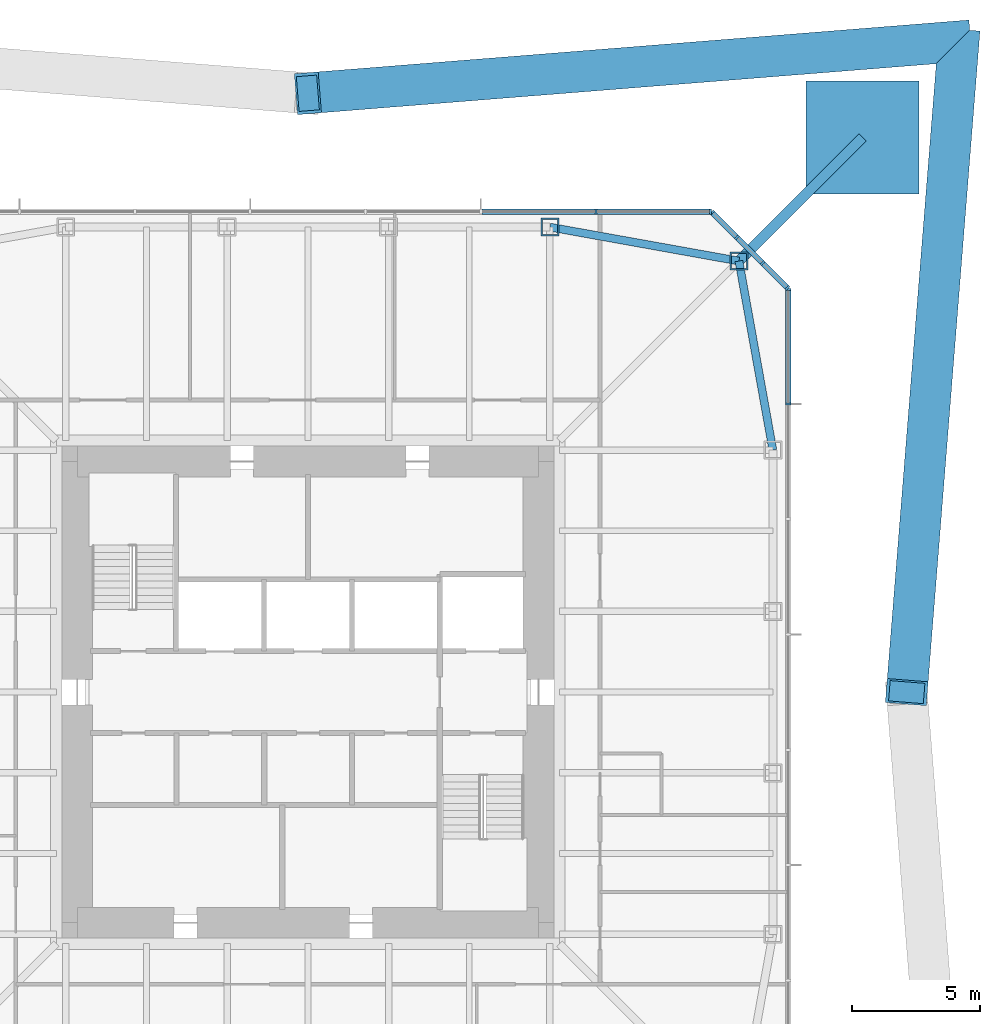
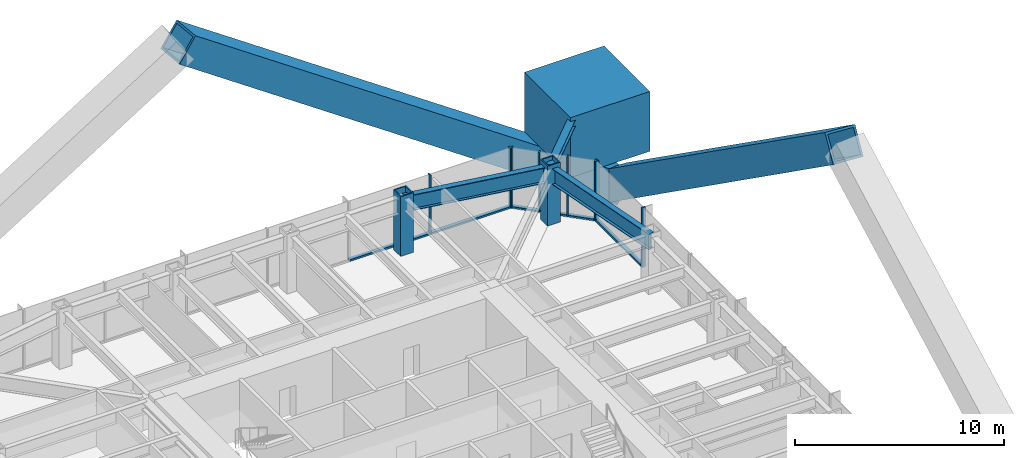
# One storey, part 6 of 11: 20 members, 2 beams, 3 elements without a shape of their own.
"""IFC4 building model written with IfcOpenShell, lengths in metres."""

import ifcopenshell
import ifcopenshell.guid

model = None  # the IFC model being written
_history = None  # IfcOwnerHistory: only IFC2X3 demands one
_inside = {}  # id of a spatial element -> (the spatial element, [elements in it])
_under = {}  # id of a project, library or spatial element -> (it, [spatial elements below it])
_declared = {}  # id of a project -> (the project, [libraries it declares])
_typed = {}  # id of a type object -> (the type object, [elements of that type])
_made_of = {}  # id of a material, layer set ... -> (it, [elements and type objects made of it])


def new_model(schema):
    """Start an empty IFC model of exactly this schema.

    Asked for "IFC4X3", IfcOpenShell would pick the latest addendum, in which some entities
    have other attributes; the version numbers below select the first issue.
    IFC2X3 requires an IfcOwnerHistory on every rooted entity: one is made here for all.
    """
    global model, _history
    if schema == "IFC4X3":
        model = ifcopenshell.file(schema_version=(4, 3, 0, 0))
    else:
        model = ifcopenshell.file(schema=schema)
    _inside.clear()
    _under.clear()
    _declared.clear()
    _typed.clear()
    _made_of.clear()
    _history = None
    if model.schema == "IFC2X3":
        org = make("IfcOrganization", Name="unknown")
        user = make(
            "IfcPersonAndOrganization",
            ThePerson=make("IfcPerson", FamilyName="unknown"),
            TheOrganization=org,
        )
        app = make(
            "IfcApplication",
            ApplicationDeveloper=org,
            Version="unknown",
            ApplicationFullName="unknown",
            ApplicationIdentifier="unknown",
        )
        _history = make(
            "IfcOwnerHistory",
            OwningUser=user,
            OwningApplication=app,
            ChangeAction="ADDED",
            CreationDate=0,
        )
    return model


def make(cls, **values):
    """One entity of the class cls with the attributes given. An attribute that is None is left unset."""
    return model.create_entity(
        cls, **{name: value for name, value in values.items() if value is not None}
    )


def rooted(cls, **values):
    """An entity with a GlobalId (a new one), such as an element, a storey or a relation."""
    return make(cls, GlobalId=ifcopenshell.guid.new(), OwnerHistory=_history, **values)


def si_unit(unit_type, name, prefix=None):
    """IfcSIUnit, for example si_unit("LENGTHUNIT", "METRE", prefix="MILLI")."""
    return make("IfcSIUnit", UnitType=unit_type, Prefix=prefix, Name=name)


def assignment(units):
    """IfcUnitAssignment: the units of a project."""
    return None if units is None else make("IfcUnitAssignment", Units=units)


def point(xyz):
    """IfcCartesianPoint."""
    return None if xyz is None else make("IfcCartesianPoint", Coordinates=xyz)


def direction(xyz):
    """IfcDirection."""
    return None if xyz is None else make("IfcDirection", DirectionRatios=xyz)


def frame(location, z_axis=None, x_axis=None):
    """IfcAxis2Placement3D, a coordinate frame: its origin and axes. An axis left out is left unset."""
    return make(
        "IfcAxis2Placement3D",
        Location=point(location),
        Axis=direction(z_axis),
        RefDirection=direction(x_axis),
    )


def frame_2d(location, x_axis=None):
    """IfcAxis2Placement2D, a coordinate frame in the plane: its origin and x axis."""
    return make(
        "IfcAxis2Placement2D", Location=point(location), RefDirection=direction(x_axis)
    )


def origin():
    """The frame at (0, 0, 0) with its axes left unset."""
    return frame((0.0, 0.0, 0.0))


def origin_2d():
    """The frame at (0, 0) in the plane with its x axis left unset."""
    return frame_2d((0.0, 0.0))


def place(relative_to, where):
    """IfcLocalPlacement: puts the frame where relative to a parent placement (None: the world)."""
    return make(
        "IfcLocalPlacement", PlacementRelTo=relative_to, RelativePlacement=where
    )


def context(
    kind, dimensions, precision=None, world=None, true_north=None, identifier=None
):
    """IfcGeometricRepresentationContext, for example the 3D "Model" context."""
    return make(
        "IfcGeometricRepresentationContext",
        ContextIdentifier=identifier,
        ContextType=kind,
        CoordinateSpaceDimension=dimensions,
        Precision=precision,
        WorldCoordinateSystem=world,
        TrueNorth=true_north,
    )


def subcontext(parent, identifier, kind, view, scale=None):
    """IfcGeometricRepresentationSubContext, for example "Body" below "Model"."""
    return make(
        "IfcGeometricRepresentationSubContext",
        ContextIdentifier=identifier,
        ContextType=kind,
        ParentContext=parent,
        TargetScale=scale,
        TargetView=view,
    )


def project(units=None, contexts=None):
    """IfcProject with its units and contexts."""
    return rooted(
        "IfcProject",
        Name="project",
        RepresentationContexts=contexts,
        UnitsInContext=assignment(units),
    )


def spatial(cls, under=None, at=None, **own):
    """A site, building, storey or space (cls), placed at a placement, below another one or the project."""
    s = rooted(cls, ObjectPlacement=at, **own)
    if under is not None:
        _under.setdefault(under.id(), (under, []))[1].append(s)
    return s


def profile(cls, at=None, kind="AREA", **sizes):
    """A parametric profile (cls). Its sizes go by their IFC names, for example OverallWidth=200.0."""
    return make(cls, ProfileType=kind, Position=at, **sizes)


def rectangle(**sizes):
    """IfcRectangleProfileDef."""
    return profile("IfcRectangleProfileDef", **sizes)


def hollow_rectangle(**sizes):
    """IfcRectangleHollowProfileDef."""
    return profile("IfcRectangleHollowProfileDef", **sizes)


def i_section(**sizes):
    """IfcIShapeProfileDef."""
    return profile("IfcIShapeProfileDef", **sizes)


def extrude(swept, where, along, depth):
    """IfcExtrudedAreaSolid: the profile swept, set in the frame where, extruded along a direction by depth."""
    return make(
        "IfcExtrudedAreaSolid",
        SweptArea=swept,
        Position=where,
        ExtrudedDirection=direction(along),
        Depth=depth,
    )


def shape(context_of_items, identifier, shape_type, items):
    """IfcShapeRepresentation: the items that make up one representation, for example the "Body"."""
    return make(
        "IfcShapeRepresentation",
        ContextOfItems=context_of_items,
        RepresentationIdentifier=identifier,
        RepresentationType=shape_type,
        Items=items,
    )


def material(Name=None, Category=None):
    """IfcMaterial."""
    return make("IfcMaterial", Name=Name, Category=Category)


def material_profile(
    of_material, cross_section, Name=None, Category=None, Priority=None
):
    """IfcMaterialProfile: a cross section and its material."""
    return make(
        "IfcMaterialProfile",
        Name=Name,
        Material=of_material,
        Profile=cross_section,
        Priority=Priority,
        Category=Category,
    )


def profile_set(profiles, Name=None, composite=None):
    """IfcMaterialProfileSet."""
    return make(
        "IfcMaterialProfileSet",
        Name=Name,
        MaterialProfiles=profiles,
        CompositeProfile=composite,
    )


def made_of(thing, what):
    """Note that an element or type object is made of a material, layer set ...; save() writes the relation."""
    if what is not None:
        _made_of.setdefault(what.id(), (what, []))[1].append(thing)
    return thing


def type_object(cls, material=None, **own):
    """A type object (cls), such as IfcWallType, which elements share."""
    return made_of(rooted(cls, **own), material)


def element(
    cls,
    number,
    at=None,
    inside=None,
    cuts=None,
    type_object=None,
    material=None,
    context=None,
    identifier="Body",
    shape_type=None,
    held_by="IfcProductDefinitionShape",
    body=None,
    shapes=None,
    **own,
):
    """One element of the class cls, such as IfcWall. Its Tag is "e" and its number.

    at: its placement. inside: the storey or other place that contains it. cuts: it is an
    opening in that element (IfcRelVoidsElement). A single representation is given by context,
    identifier, shape_type and body (its items); several are given by shapes. held_by: the class
    of the entity that holds the representations. save() writes the other relations.
    """
    e = rooted(cls, Tag="e%d" % number, ObjectPlacement=at, **own)
    if body is not None:
        shapes = [shape(context, identifier, shape_type, body)]
    if shapes is not None:
        e.Representation = make(held_by, Representations=shapes)
    if inside is not None:
        _inside.setdefault(inside.id(), (inside, []))[1].append(e)
    if cuts is not None:
        rooted(
            "IfcRelVoidsElement", RelatingBuildingElement=cuts, RelatedOpeningElement=e
        )
    if type_object is not None:
        _typed.setdefault(type_object.id(), (type_object, []))[1].append(e)
    return made_of(e, material)


def aggregate(whole, parts):
    """IfcRelAggregates: a whole, such as a stair, and the parts it consists of."""
    return rooted("IfcRelAggregates", RelatingObject=whole, RelatedObjects=parts)


def save(model, path):
    """Write the relations noted so far, then the file.

    IfcRelAggregates (storeys below a building ...), IfcRelContainedInSpatialStructure (elements
    in a storey), IfcRelDefinesByType, IfcRelAssociatesMaterial and IfcRelDeclares: one each for
    every whole, place, type object, material and project.
    """
    for whole, parts in _under.values():
        aggregate(whole, parts)
    for where, things in _inside.values():
        rooted(
            "IfcRelContainedInSpatialStructure",
            RelatedElements=things,
            RelatingStructure=where,
        )
    for kind, things in _typed.values():
        rooted("IfcRelDefinesByType", RelatedObjects=things, RelatingType=kind)
    for what, things in _made_of.values():
        rooted("IfcRelAssociatesMaterial", RelatedObjects=things, RelatingMaterial=what)
    for by, libraries in _declared.values():
        rooted("IfcRelDeclares", RelatingContext=by, RelatedDefinitions=libraries)
    model.write(path)


model = new_model("IFC4")

# Units and contexts
model_context = context("Model", 3, precision=1e-05, world=origin(), true_north=direction((0.0, 1.0)))
body_context = subcontext(model_context, "Body", "Model", "MODEL_VIEW")
ifc_project = project(units=[si_unit("LENGTHUNIT", "METRE"), si_unit("AREAUNIT", "SQUARE_METRE"), si_unit("VOLUMEUNIT", "CUBIC_METRE"), si_unit("PLANEANGLEUNIT", "RADIAN"), si_unit("MASSUNIT", "GRAM", prefix="KILO")], contexts=[model_context])

# Site, building, storey
site_placement = place(None, origin())
site = spatial("IfcSite", under=ifc_project, at=site_placement, CompositionType="ELEMENT")
building_placement = place(site_placement, origin())
building = spatial("IfcBuilding", under=site, at=building_placement, Name="Iwan Alto Co-Living Towers", CompositionType="ELEMENT")
storey_placement = place(building_placement, frame((0.0, 0.0, 149.5)))
storey = spatial("IfcBuildingStorey", under=building, at=storey_placement, Name="L40", CompositionType="ELEMENT", Elevation=149.5)

# Curtain wall, members
ifc_material_1 = material(Name="Bronze aluminium unitised frame", Category="aluminium")
curtain_wall_type_1 = type_object("IfcCurtainWallType", Name="CURTAIN WALL CW-A", PredefinedType="NOTDEFINED", material=ifc_material_1)
curtain_wall_1_placement = place(storey_placement, origin())
curtain_wall_1 = element("IfcCurtainWall", 1, at=curtain_wall_1_placement, inside=storey, type_object=curtain_wall_type_1, Name="T1 curtain wall E L40", PredefinedType="NOTDEFINED")
ifc_material_2 = material(Name="Aluminium 6063-T6 bronze anodised", Category="aluminium")
ifc_material_profile_1 = material_profile(ifc_material_2, rectangle(XDim=0.199951171875, YDim=0.080078125, at=origin_2d()), Name="AL 80X200")
ifc_profile_set_1 = profile_set([ifc_material_profile_1], Name="Aluminium 6063-T6 bronze anodised")
member_type_1 = type_object("IfcMemberType", Name="CW-A MULLION 80X200", PredefinedType="MULLION", material=ifc_profile_set_1)
member_1_placement = place(storey_placement, frame((18.75, 11.25, 0.0), z_axis=(0.0, 0.0, 1.0), x_axis=(-1.0, 0.0, 0.0)))
member_1 = element("IfcMember", 2, at=member_1_placement, type_object=member_type_1, Name="CW-A mullion 7", PredefinedType="MULLION", context=body_context, shape_type="SweptSolid", body=[
    extrude(rectangle(XDim=0.199951171875, YDim=0.080078125, at=origin_2d()), origin(), (0.0, 0.0, 1.0), 3.5),
])
member_2_placement = place(storey_placement, frame((18.75, 15.7099609375, 0.0), z_axis=(0.0, 0.0, 1.0), x_axis=(-1.0, 0.0, 0.0)))
member_2 = element("IfcMember", 3, at=member_2_placement, type_object=member_type_1, Name="CW-A mullion 8", PredefinedType="MULLION", context=body_context, shape_type="SweptSolid", body=[
    extrude(rectangle(XDim=0.199951171875, YDim=0.080078125, at=origin_2d()), origin(), (0.0, 0.0, 1.0), 3.5),
])

curtain_wall_2_placement = place(storey_placement, origin())
curtain_wall_2 = element("IfcCurtainWall", 4, at=curtain_wall_2_placement, inside=storey, type_object=curtain_wall_type_1, Name="T1 curtain wall N L40", PredefinedType="NOTDEFINED")
member_3_placement = place(storey_placement, frame((15.7099609375, 18.75, 0.0), z_axis=(0.0, 0.0, 1.0), x_axis=(0.0, -1.0, 0.0)))
member_3 = element("IfcMember", 5, at=member_3_placement, type_object=member_type_1, Name="CW-A mullion 1", PredefinedType="MULLION", context=body_context, shape_type="SweptSolid", body=[
    extrude(rectangle(XDim=0.199951171875, YDim=0.080078125, at=origin_2d()), origin(), (0.0, 0.0, 1.0), 3.5),
])
member_4_placement = place(storey_placement, frame((11.25, 18.75, 0.0), z_axis=(0.0, 0.0, 1.0), x_axis=(0.0, -1.0, 0.0)))
member_4 = element("IfcMember", 6, at=member_4_placement, type_object=member_type_1, Name="CW-A mullion 2", PredefinedType="MULLION", context=body_context, shape_type="SweptSolid", body=[
    extrude(rectangle(XDim=0.199951171875, YDim=0.080078125, at=origin_2d()), origin(), (0.0, 0.0, 1.0), 3.5),
])

# Member
ifc_material_3 = material(Name="Aluminium 6063-T6 bronze anodised", Category="aluminium")
ifc_material_profile_2 = material_profile(ifc_material_3, rectangle(XDim=0.199951171875, YDim=0.10009765625, at=origin_2d()), Name="AL 200X100")
ifc_profile_set_2 = profile_set([ifc_material_profile_2], Name="Aluminium 6063-T6 bronze anodised")
member_type_2 = type_object("IfcMemberType", Name="CW-A TRANSOM 200X100", PredefinedType="USERDEFINED", material=ifc_profile_set_2)
member_5_placement = place(storey_placement, frame((18.75, 11.2900390625, 0.050048828125), z_axis=(0.0, 1.0, 0.0), x_axis=(-1.0, 0.0, 0.0)))
member_5 = element("IfcMember", 7, at=member_5_placement, type_object=member_type_2, Name="CW-A transom 7.1", ObjectType="TRANSOM", PredefinedType="USERDEFINED", context=body_context, shape_type="SweptSolid", body=[
    extrude(rectangle(XDim=0.199951171875, YDim=0.10009765625, at=origin_2d()), origin(), (0.0, 0.0, 1.0), 4.3798828125),
])

aggregate(curtain_wall_1, [member_1, member_2, member_5])

member_6_placement = place(storey_placement, frame((15.669921875, 18.75, 0.050048828125), z_axis=(-1.0, 0.0, 0.0), x_axis=(0.0, -1.0, 0.0)))
member_6 = element("IfcMember", 8, at=member_6_placement, type_object=member_type_2, Name="CW-A transom 1.1", ObjectType="TRANSOM", PredefinedType="USERDEFINED", context=body_context, shape_type="SweptSolid", body=[
    extrude(rectangle(XDim=0.199951171875, YDim=0.10009765625, at=origin_2d()), origin(), (0.0, 0.0, 1.0), 4.3798828125),
])

member_7_placement = place(storey_placement, frame((11.2099609375, 18.75, 0.050048828125), z_axis=(-1.0, 0.0, 0.0), x_axis=(0.0, -1.0, 0.0)))
member_7 = element("IfcMember", 9, at=member_7_placement, type_object=member_type_2, Name="CW-A transom 2.1", ObjectType="TRANSOM", PredefinedType="USERDEFINED", context=body_context, shape_type="SweptSolid", body=[
    extrude(rectangle(XDim=0.199951171875, YDim=0.10009765625, at=origin_2d()), origin(), (0.0, 0.0, 1.0), 4.419921875),
])

aggregate(curtain_wall_2, [member_3, member_4, member_6, member_7])

# Curtain wall, members
ifc_material_4 = material(Name="Bronze aluminium unitised frame", Category="aluminium")
curtain_wall_type_2 = type_object("IfcCurtainWallType", Name="CURTAIN WALL CW-B", PredefinedType="NOTDEFINED", material=ifc_material_4)
curtain_wall_3_placement = place(storey_placement, origin())
curtain_wall_3 = element("IfcCurtainWall", 10, at=curtain_wall_3_placement, inside=storey, type_object=curtain_wall_type_2, Name="T1 chamfer curtain wall NE L40", PredefinedType="NOTDEFINED")
ifc_material_5 = material(Name="Aluminium 6063-T6 bronze anodised", Category="aluminium")
ifc_material_profile_3 = material_profile(ifc_material_5, rectangle(XDim=0.199951171875, YDim=0.080078125, at=origin_2d()), Name="AL 80X200")
ifc_profile_set_3 = profile_set([ifc_material_profile_3], Name="Aluminium 6063-T6 bronze anodised")
member_type_3 = type_object("IfcMemberType", Name="CW-B MULLION 80X200", PredefinedType="MULLION", material=ifc_profile_set_3)
member_8_placement = place(storey_placement, frame((18.7216796875, 15.7783203125, 0.0), z_axis=(0.0, 0.0, 1.0), x_axis=(-0.707106781187, -0.707106781187, 0.0)))
member_8 = element("IfcMember", 11, at=member_8_placement, type_object=member_type_3, Name="CW-B mullion 1", PredefinedType="MULLION", context=body_context, shape_type="SweptSolid", body=[
    extrude(rectangle(XDim=0.199951171875, YDim=0.080078125, at=origin_2d()), origin(), (0.0, 0.0, 1.0), 3.5),
])
member_9_placement = place(storey_placement, frame((17.75, 16.75, 0.0), z_axis=(0.0, 0.0, 1.0), x_axis=(-0.707106781187, -0.707106781187, 0.0)))
member_9 = element("IfcMember", 12, at=member_9_placement, type_object=member_type_3, Name="CW-B mullion 2", PredefinedType="MULLION", context=body_context, shape_type="SweptSolid", body=[
    extrude(rectangle(XDim=0.199951171875, YDim=0.080078125, at=origin_2d()), origin(), (0.0, 0.0, 1.0), 3.5),
])
member_10_placement = place(storey_placement, frame((16.75, 17.75, 0.0), z_axis=(0.0, 0.0, 1.0), x_axis=(-0.707106781187, -0.707106781187, 0.0)))
member_10 = element("IfcMember", 13, at=member_10_placement, type_object=member_type_3, Name="CW-B mullion 3", PredefinedType="MULLION", context=body_context, shape_type="SweptSolid", body=[
    extrude(rectangle(XDim=0.199951171875, YDim=0.080078125, at=origin_2d()), origin(), (0.0, 0.0, 1.0), 3.5),
])
member_11_placement = place(storey_placement, frame((15.7783203125, 18.7216796875, 0.0), z_axis=(0.0, 0.0, 1.0), x_axis=(-0.707106781187, -0.707106781187, 0.0)))
member_11 = element("IfcMember", 14, at=member_11_placement, type_object=member_type_3, Name="CW-B mullion 4", PredefinedType="MULLION", context=body_context, shape_type="SweptSolid", body=[
    extrude(rectangle(XDim=0.199951171875, YDim=0.080078125, at=origin_2d()), origin(), (0.0, 0.0, 1.0), 3.5),
])
ifc_material_6 = material(Name="Aluminium 6063-T6 bronze anodised", Category="aluminium")
ifc_material_profile_4 = material_profile(ifc_material_6, rectangle(XDim=0.199951171875, YDim=0.10009765625, at=origin_2d()), Name="AL 200X100")
ifc_profile_set_4 = profile_set([ifc_material_profile_4], Name="Aluminium 6063-T6 bronze anodised")
member_type_4 = type_object("IfcMemberType", Name="CW-B TRANSOM 200X100", PredefinedType="USERDEFINED", material=ifc_profile_set_4)
member_12_placement = place(storey_placement, frame((18.693359375, 15.806640625, 0.050048828125), z_axis=(-0.707106781187, 0.707106781187, 0.0), x_axis=(-0.707106781187, -0.707106781187, 0.0)))
member_12 = element("IfcMember", 15, at=member_12_placement, type_object=member_type_4, Name="CW-B transom 1.1", ObjectType="TRANSOM", PredefinedType="USERDEFINED", context=body_context, shape_type="SweptSolid", body=[
    extrude(rectangle(XDim=0.199951171875, YDim=0.10009765625, at=origin_2d()), origin(), (0.0, 0.0, 1.0), 1.2939453125),
])
member_13_placement = place(storey_placement, frame((17.7216796875, 16.7783203125, 0.050048828125), z_axis=(-0.707106781187, 0.707106781187, 0.0), x_axis=(-0.707106781187, -0.707106781187, 0.0)))
member_13 = element("IfcMember", 16, at=member_13_placement, type_object=member_type_4, Name="CW-B transom 2.1", ObjectType="TRANSOM", PredefinedType="USERDEFINED", context=body_context, shape_type="SweptSolid", body=[
    extrude(rectangle(XDim=0.199951171875, YDim=0.10009765625, at=origin_2d()), origin(), (0.0, 0.0, 1.0), 1.334228515625),
])
member_14_placement = place(storey_placement, frame((16.7216796875, 17.7783203125, 0.050048828125), z_axis=(-0.707106781187, 0.707106781187, 0.0), x_axis=(-0.707106781187, -0.707106781187, 0.0)))
member_14 = element("IfcMember", 17, at=member_14_placement, type_object=member_type_4, Name="CW-B transom 3.1", ObjectType="TRANSOM", PredefinedType="USERDEFINED", context=body_context, shape_type="SweptSolid", body=[
    extrude(rectangle(XDim=0.199951171875, YDim=0.10009765625, at=origin_2d()), origin(), (0.0, 0.0, 1.0), 1.2939453125),
])
aggregate(curtain_wall_3, [member_8, member_9, member_10, member_11, member_12, member_13, member_14])

# Beams
ifc_material_7 = material(Name="Steel ASTM A992 Gr 50", Category="steel")
ifc_material_profile_5 = material_profile(ifc_material_7, i_section(OverallWidth=0.307373046875, OverallDepth=0.927001953125, WebThickness=0.01953125, FlangeThickness=0.031982421875, at=origin_2d()), Name="W36X194")
ifc_profile_set_5 = profile_set([ifc_material_profile_5], Name="Steel ASTM A992 Gr 50")
beam_type = type_object("IfcBeamType", Name="T1 EDGE BEAM W36X194", PredefinedType="BEAM", material=ifc_profile_set_5)
for number, where, z_axis, x_axis, name in (
    (18, (18.14990234375, 9.449951171875, 2.806396484375), (-0.17671181143, 0.98426263553, 0.0), (-0.98426263553, -0.17671181143, 0.0), "T1 edge beam E4 L41"),
    (19, (16.82568359375, 16.82568359375, 2.806396484375), (-0.98426263553, 0.17671181143, 0.0), (-0.17671181143, -0.98426263553, 0.0), "T1 edge beam CNE L41"),
):
    element("IfcBeam", number, at=place(storey_placement, frame(where, z_axis=z_axis, x_axis=x_axis)), inside=storey, type_object=beam_type, Name=name, PredefinedType="BEAM", context=body_context, shape_type="SweptSolid", body=[
        extrude(i_section(OverallWidth=0.307373046875, OverallDepth=0.927001953125, WebThickness=0.01953125, FlangeThickness=0.031982421875, at=origin_2d()), origin(), (0.0, 0.0, 1.0), 7.49365234375),
    ])

# Members
ifc_material_8 = material(Name="Steel ASTM A572 Gr 42", Category="steel")
ifc_material_profile_6 = material_profile(ifc_material_8, hollow_rectangle(XDim=1.60009765625, YDim=1.60009765625, WallThickness=0.1201171875, at=origin_2d()), Name="BOX 1600X1600X120")
ifc_profile_set_6 = profile_set([ifc_material_profile_6], Name="Steel ASTM A572 Gr 42")
member_type_5 = type_object("IfcMemberType", Name="T1 MEGA BRACE BOX 1600X1600X120", PredefinedType="BRACE", material=ifc_profile_set_6)
for number, where, z_axis, x_axis, name in (
    (20, (25.39990234375, 25.39990234375, -6.0), (-0.064465293218, -0.808832630948, 0.584494654453), (0.996838876178, -0.079449700698, 0.0), "T1 mega brace Z3A E 2 lower"),
    (21, (25.39990234375, 25.39990234375, -6.0), (-0.808832630948, -0.064465293218, 0.584494654453), (0.079449700698, -0.996838876178, 0.0), "T1 mega brace Z3A N 1 lower"),
):
    element("IfcMember", number, at=place(storey_placement, frame(where, z_axis=z_axis, x_axis=x_axis)), inside=storey, type_object=member_type_5, Name=name, PredefinedType="BRACE", context=body_context, shape_type="SweptSolid", body=[
        extrude(hollow_rectangle(XDim=1.60009765625, YDim=1.60009765625, WallThickness=0.1201171875, at=origin_2d()), origin(), (0.0, 0.0, 1.0), 31.403076171875),
    ])
ifc_material_9 = material(Name="Steel ASTM A992 Gr 50", Category="steel")
ifc_material_profile_7 = material_profile(ifc_material_9, i_section(OverallWidth=0.393798828125, OverallDepth=0.3759765625, WebThickness=0.017333984375, FlangeThickness=0.027587890625, at=origin_2d()), Name="W14X145")
ifc_profile_set_7 = profile_set([ifc_material_profile_7], Name="Steel ASTM A992 Gr 50")
member_type_6 = type_object("IfcMemberType", Name="T1 MEGA COLUMN FLOOR TIE W14X145", PredefinedType="STRUT", material=ifc_profile_set_7)
member_15_placement = place(storey_placement, frame((21.64990234375, 21.64990234375, 3.08203125), z_axis=(-0.707106781187, -0.707106781187, 0.0), x_axis=(0.707106781187, -0.707106781187, 0.0)))
element("IfcMember", 22, at=member_15_placement, inside=storey, type_object=member_type_6, Name="T1 mega column floor tie NE L41", PredefinedType="STRUT", context=body_context, shape_type="SweptSolid", body=[
    extrude(i_section(OverallWidth=0.393798828125, OverallDepth=0.3759765625, WebThickness=0.017333984375, FlangeThickness=0.027587890625, at=origin_2d()), origin(), (0.0, 0.0, 1.0), 6.822509765625),
])
ifc_material_10 = material(Name="Concrete f'c 70 MPa", Category="concrete")
ifc_material_profile_8 = material_profile(ifc_material_10, rectangle(XDim=4.39990234375, YDim=4.39990234375, at=origin_2d()), Name="RC 4400X4400")
ifc_profile_set_8 = profile_set([ifc_material_profile_8], Name="Concrete f'c 70 MPa")
member_type_7 = type_object("IfcMemberType", Name="T1 MEGA POST AT STEP RC 4400X4400", PredefinedType="MEMBER", material=ifc_profile_set_8)
member_16_placement = place(storey_placement, frame((21.64990234375, 21.64990234375, 0.0), z_axis=(0.0, 0.0, 1.0), x_axis=(1.0, 0.0, 0.0)))
element("IfcMember", 23, at=member_16_placement, inside=storey, type_object=member_type_7, Name="T1 mega post at step NE L40", PredefinedType="MEMBER", context=body_context, shape_type="SweptSolid", body=[
    extrude(rectangle(XDim=4.39990234375, YDim=4.39990234375, at=origin_2d()), origin(), (0.0, 0.0, 1.0), 3.5),
    extrude(i_section(OverallWidth=0.4775390625, OverallDepth=0.599365234375, WebThickness=0.10009765625, FlangeThickness=0.139892578125, at=origin_2d()), origin(), (0.0, 0.0, 1.0), 3.5),
])
ifc_material_11 = material(Name="Steel ASTM A572 Gr 50", Category="steel")
ifc_material_profile_9 = material_profile(ifc_material_11, hollow_rectangle(XDim=0.699951171875, YDim=0.699951171875, WallThickness=0.06005859375, at=origin_2d()), Name="BOX 700X700X60")
ifc_profile_set_9 = profile_set([ifc_material_profile_9], Name="Steel ASTM A572 Gr 50")
member_type_8 = type_object("IfcMemberType", Name="T1 RING POST AT STEP BOX 700X700X60", PredefinedType="MEMBER", material=ifc_profile_set_9)
for number, where, z_axis, x_axis, name in (
    (24, (16.82568359375, 16.82568359375, 0.0), (0.0, 0.0, 1.0), (1.0, 0.0, 0.0), "T1 ring post at step CNE L40"),
    (25, (9.449951171875, 18.14990234375, 0.0), (0.0, 0.0, 1.0), (1.0, 0.0, 0.0), "T1 ring post at step N1 L40"),
):
    element("IfcMember", number, at=place(storey_placement, frame(where, z_axis=z_axis, x_axis=x_axis)), inside=storey, type_object=member_type_8, Name=name, PredefinedType="MEMBER", context=body_context, shape_type="SweptSolid", body=[
        extrude(hollow_rectangle(XDim=0.699951171875, YDim=0.699951171875, WallThickness=0.06005859375, at=origin_2d()), origin(), (0.0, 0.0, 1.0), 3.5),
    ])

save(model, "model.ifc")
